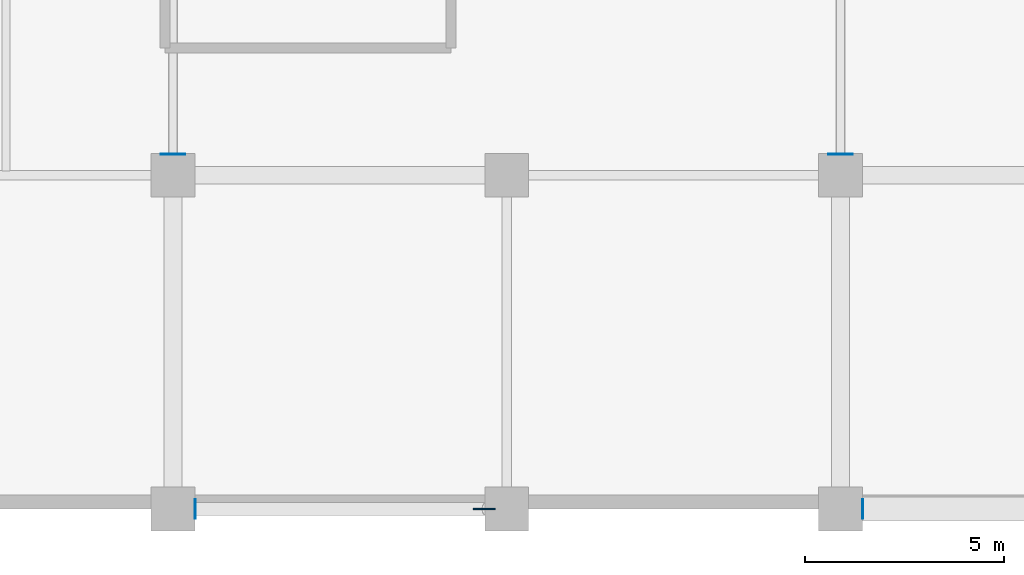
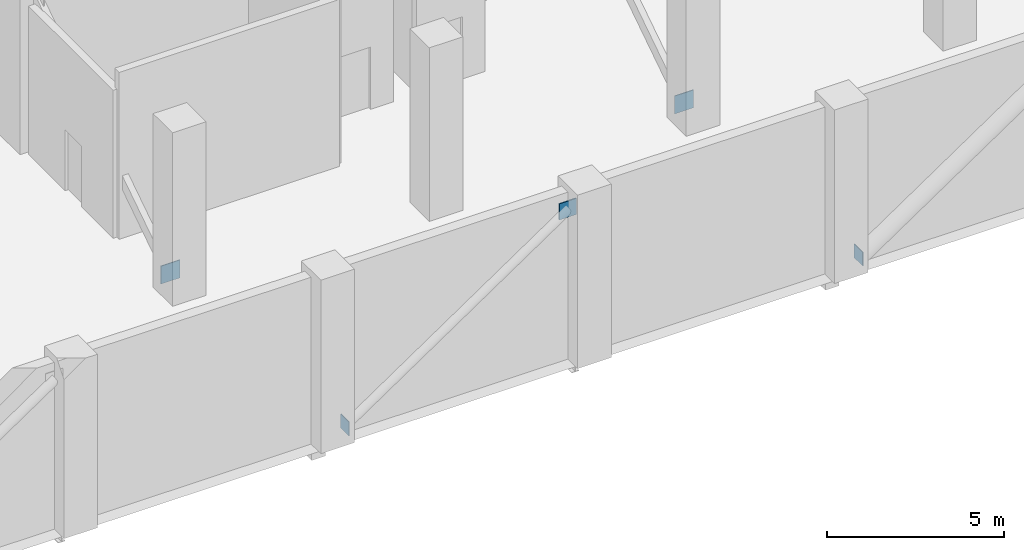
# One storey, part 6 of 16: 5 plates.
"""IFC4 building model written with IfcOpenShell, lengths in metres."""

from ifc_helpers import new_model, si_unit, direction, frame, origin, origin_2d, place, context, subcontext, project, spatial, rectangle, extrude, material, layer, layer_set, type_object, element, save


model = new_model("IFC4")

# Units and contexts
model_context = context("Model", 3, precision=1e-05, world=origin(), true_north=direction((0.0, 1.0)))
body_context = subcontext(model_context, "Body", "Model", "MODEL_VIEW")
ifc_project = project(units=[si_unit("LENGTHUNIT", "METRE"), si_unit("AREAUNIT", "SQUARE_METRE"), si_unit("VOLUMEUNIT", "CUBIC_METRE"), si_unit("PLANEANGLEUNIT", "RADIAN"), si_unit("MASSUNIT", "GRAM", prefix="KILO")], contexts=[model_context])

# Site, building, storey
site_placement = place(None, origin())
site = spatial("IfcSite", under=ifc_project, at=site_placement, CompositionType="ELEMENT")
building_placement = place(site_placement, origin())
building = spatial("IfcBuilding", under=site, at=building_placement, Name="Koriwani Terraces Tower", CompositionType="ELEMENT")
storey_placement = place(building_placement, frame((0.0, 0.0, 162.0)))
storey = spatial("IfcBuildingStorey", under=building, at=storey_placement, Name="L39", CompositionType="ELEMENT", Elevation=162.0)

# Plates
ifc_material = material(Name="Steel ASTM A572 Grade 50", Category="steel")
ifc_layer_1 = layer(ifc_material, 0.02490234375, Name="Steel ASTM A572 Grade 50")
ifc_layer_set_1 = layer_set([ifc_layer_1], Name="Steel ASTM A572 Grade 50")
plate_type_1 = type_object("IfcPlateType", Name="STEEL_CAP_PLATE_25", PredefinedType="USERDEFINED", material=ifc_layer_set_1)
for number, where, z_axis, x_axis, name in (
    (1, (42.0, 8.929931640625, 0.0400390625), (0.0, 0.0, 1.0), (0.0, 1.0, 0.0), "Outrigger truss hollow end cap plate L39-OE-S1"),
    (2, (58.800048828125, 8.929931640625, 0.0400390625), (0.0, 0.0, 1.0), (0.0, 1.0, 0.0), "Outrigger truss hollow end cap plate L39-OE-S2"),
):
    element("IfcPlate", number, at=place(storey_placement, frame(where, z_axis=z_axis, x_axis=x_axis)), inside=storey, type_object=plate_type_1, Name=name, ObjectType="FLANGE_PLATE", PredefinedType="USERDEFINED", context=body_context, shape_type="SweptSolid", body=[
        extrude(rectangle(XDim=0.02490234375, YDim=0.6201171875, at=origin_2d()), origin(), (0.0, 0.0, 1.0), 0.6201171875),
    ])
for number, where, z_axis, x_axis, name in (
    (3, (42.56298828125, 0.0, 0.032470703125), (0.0, 0.0, 1.0), (1.0, 0.0, 0.0), "Brace End Cap Plate BT-L39-BS3"),
    (4, (59.363037109375, 0.0, 0.032470703125), (0.0, 0.0, 1.0), (1.0, 0.0, 0.0), "Brace End Cap Plate BT-L39-BS4"),
):
    element("IfcPlate", number, at=place(storey_placement, frame(where, z_axis=z_axis, x_axis=x_axis)), inside=storey, type_object=plate_type_1, Name=name, ObjectType="FLANGE_PLATE", PredefinedType="USERDEFINED", context=body_context, shape_type="SweptSolid", body=[
        extrude(rectangle(XDim=0.02490234375, YDim=0.47998046875, at=origin_2d()), origin(), (0.0, 0.0, 1.0), 0.47998046875),
    ])
ifc_layer_2 = layer(ifc_material, 0.0400390625, Name="Steel ASTM A572 Grade 50")
ifc_layer_set_2 = layer_set([ifc_layer_2], Name="Steel ASTM A572 Grade 50")
plate_type_2 = type_object("IfcPlateType", Name="STEEL_GUSSET_PLATE_40", PredefinedType="USERDEFINED", material=ifc_layer_set_2)
plate_placement = place(storey_placement, frame((49.8369140625, 0.0, 4.91748046875), z_axis=(0.0, 0.0, 1.0), x_axis=(1.0, 0.0, 0.0)))
element("IfcPlate", 5, at=plate_placement, inside=storey, type_object=plate_type_2, Name="Brace Node Gusset Plate BT-L39-BS3", ObjectType="GUSSET_PLATE", PredefinedType="USERDEFINED", context=body_context, shape_type="SweptSolid", body=[
    extrude(rectangle(XDim=0.56005859375, YDim=0.0400390625, at=origin_2d()), origin(), (0.0, 0.0, 1.0), 0.56005859375),
])

save(model, "model.ifc")
